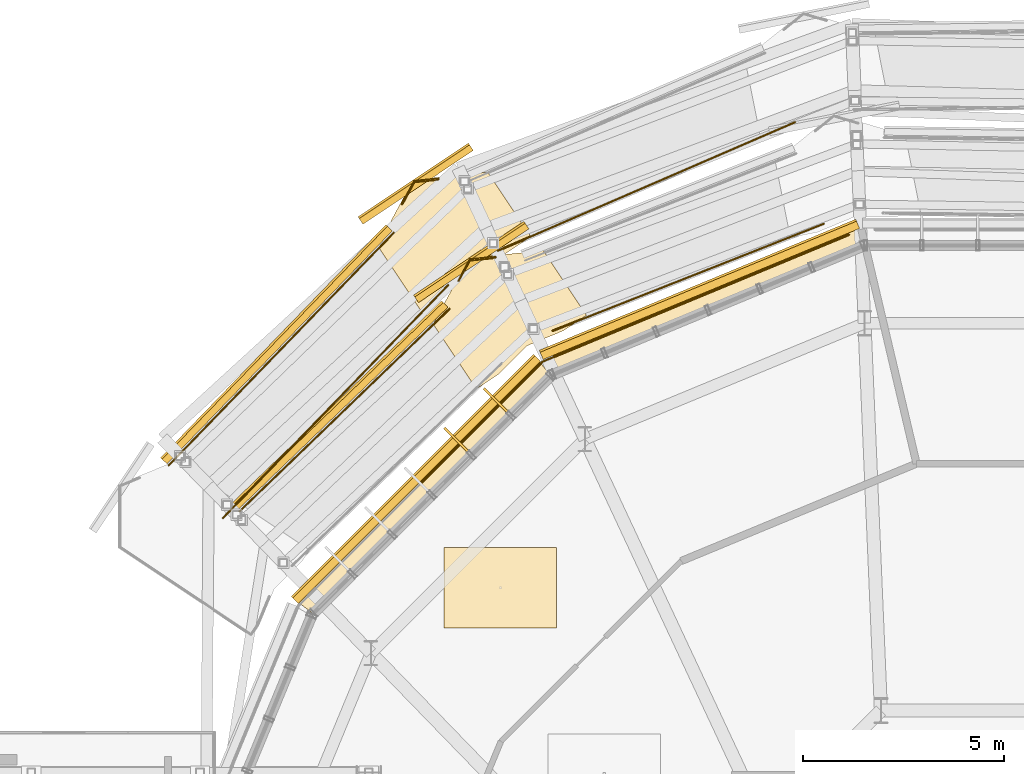
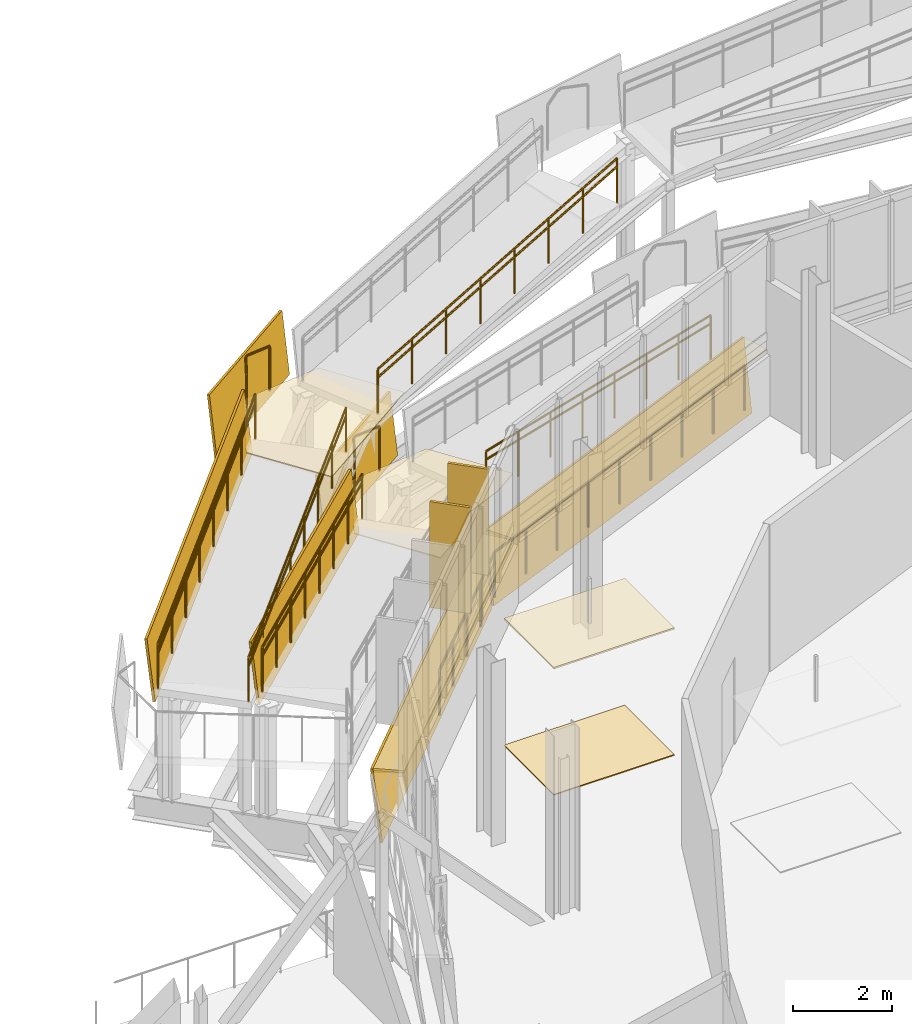
# One storey, part 132 of 139: 20 railings, 12 coverings, 2 shading devices.
"""IFC4 building model written with IfcOpenShell, lengths in metres."""

from ifc_helpers import new_model, si_unit, derived_unit, direction, frame, origin, origin_2d, place, context, subcontext, project, spatial, polyline, rectangle, circle, outline, extrude, material, layer, layer_set, type_object, element, save


model = new_model("IFC4")

# Units and contexts
model_context = context("Model", 3, precision=1e-05, world=origin(), true_north=direction((0.0, 1.0)))
body_context = subcontext(model_context, "Body", "Model", "MODEL_VIEW")
ifc_project = project(units=[si_unit("LENGTHUNIT", "METRE"), si_unit("AREAUNIT", "SQUARE_METRE"), si_unit("VOLUMEUNIT", "CUBIC_METRE"), si_unit("PLANEANGLEUNIT", "RADIAN"), si_unit("MASSUNIT", "GRAM", prefix="KILO"), derived_unit("THERMALTRANSMITTANCEUNIT", [(si_unit("MASSUNIT", "GRAM", prefix="KILO"), 1), (si_unit("TIMEUNIT", "SECOND"), -3), (si_unit("THERMODYNAMICTEMPERATUREUNIT", "KELVIN"), -1)])], contexts=[model_context])

# Site, building, storey
site_placement = place(None, origin())
site = spatial("IfcSite", under=ifc_project, at=site_placement, CompositionType="ELEMENT")
building_placement = place(site_placement, origin())
building = spatial("IfcBuilding", under=site, at=building_placement, Name="Makaiwela Harbour Ferry Terminal", CompositionType="ELEMENT")
storey_placement = place(building_placement, frame((0.0, 0.0, 5.10009765625)))
storey = spatial("IfcBuildingStorey", under=building, at=storey_placement, Name="L01", CompositionType="ELEMENT", Elevation=5.10009765625)

# Coverings
ifc_material_1 = material(Name="White glazed marine ceramic rainscreen tile", Category="masonry")
ifc_layer_1 = layer(ifc_material_1, 0.054931640625)
ifc_layer_set_1 = layer_set([ifc_layer_1], Name="White glazed marine ceramic rainscreen tile")
covering_type_1 = type_object("IfcCoveringType", Name="ENV-CLD-CERAMIC", PredefinedType="CLADDING", material=ifc_layer_set_1)
covering_1_placement = place(storey_placement, frame((33.212158203125, 89.38916015625, -0.260009765625), z_axis=(0.380394050746, -0.918369753727, 0.10907502737), x_axis=(-0.923882102842, -0.382677226978, 5.94223e-07)))
element("IfcCovering", 1, at=covering_1_placement, inside=storey, type_object=covering_type_1, Name="Ceramic Spandrel Facet CLD-0031", PredefinedType="CLADDING", context=body_context, shape_type="SweptSolid", body=[
    extrude(outline(polyline([(0.0, 0.0), (8.523531489160245, 0.0), (8.52351044062833, -1.7907084586446909), (0.000204508622098784, -1.7907186490702987), (0.0, 0.0)])), origin(), (0.0, 0.0, -1.0), 0.054931640625),
])
covering_2_placement = place(storey_placement, frame((0.0, 0.0, 1.47998046875)))
element("IfcCovering", 2, at=covering_2_placement, inside=storey, type_object=covering_type_1, Name="Ceramic Ring Sill Cap CLD-0032", PredefinedType="CLADDING", context=body_context, shape_type="SweptSolid", body=[
    extrude(outline(polyline([(33.13720703125, 89.569580078125), (25.2626953125, 86.307861328125), (25.577392578125, 85.751220703125), (33.308349609375, 88.95361328125), (33.13720703125, 89.569580078125)])), origin(), (0.0, 0.0, 1.0), 0.054931640625),
])
covering_3_placement = place(storey_placement, frame((25.272705078125, 86.084228515625, -0.260009765625), z_axis=(0.702894418326, -0.702880182201, 0.10908201573), x_axis=(-0.707099535149, -0.707114027149, -1.098092e-06)))
element("IfcCovering", 3, at=covering_3_placement, inside=storey, type_object=covering_type_1, Name="Ceramic Spandrel Facet CLD-0033", PredefinedType="CLADDING", context=body_context, shape_type="SweptSolid", body=[
    extrude(outline(polyline([(0.0, 0.0), (8.523433377176595, 5.551115123125783e-17), (8.523429419984067, -1.790724351071069), (-0.00017658891497582255, -1.7907055194804298), (0.0, 0.0)])), origin(), (0.0, 0.0, -1.0), 0.054931640625),
])
covering_4_placement = place(storey_placement, frame((0.0, 0.0, 1.47998046875)))
element("IfcCovering", 4, at=covering_4_placement, inside=storey, type_object=covering_type_1, Name="Ceramic Ring Sill Cap CLD-0034", PredefinedType="CLADDING", context=body_context, shape_type="SweptSolid", body=[
    extrude(outline(polyline([(25.134765625, 86.222412109375), (19.107666015625, 80.1953125), (19.611572265625, 79.801513671875), (25.528564453125, 85.718505859375), (25.134765625, 86.222412109375)])), origin(), (0.0, 0.0, 1.0), 0.054931640625),
])
covering_5_placement = place(storey_placement, frame((24.98291015625, 89.37890625, 1.588623046875), z_axis=(0.552213339386, -0.826408218556, 0.110044918589), x_axis=(-0.831457983046, -0.555587637038, 0.0)))
element("IfcCovering", 5, at=covering_5_placement, inside=storey, type_object=covering_type_1, Name="Coiled Ramp Ceramic Fascia CLD-R0029", PredefinedType="CLADDING", context=body_context, shape_type="SweptSolid", body=[
    extrude(outline(polyline([(0.0, 0.0), (3.3001023988297686, 0.0), (3.300126005149, -1.529061972761088), (2.3606319230901063e-05, -1.529061972761088), (0.0, 0.0)])), origin(), (0.0, 0.0, -1.0), 0.054931640625),
])
covering_6_placement = place(storey_placement, frame((22.966552734375, 87.425537109375, 1.588623046875), z_axis=(0.696807966854, -0.708777062601, 0.109971509309), x_axis=(-0.717129876259, -0.691341199572, 0.088159437108)))
element("IfcCovering", 6, at=covering_6_placement, inside=storey, type_object=covering_type_1, Name="Coiled Ramp Ceramic Fascia CLD-R0030", PredefinedType="CLADDING", context=body_context, shape_type="SweptSolid", body=[
    extrude(outline(polyline([(0.0, 0.0), (7.288835119223154, 0.0), (7.422810583407803, -1.5234147019586264), (0.13395394088457352, -1.5231729985253075), (0.0, 0.0)])), origin(), (0.0, 0.0, -1.0), 0.054931640625),
])
covering_7_placement = place(storey_placement, frame((15.97802734375, 83.52978515625, 2.231201171875), z_axis=(0.708437499452, -0.697154797271, 0.109961347811), x_axis=(0.692892540388, 0.716645132881, 0.079496421259)))
element("IfcCovering", 7, at=covering_7_placement, inside=storey, type_object=covering_type_1, Name="Coiled Ramp Ceramic Fascia CLD-R0032", PredefinedType="CLADDING", context=body_context, shape_type="SweptSolid", body=[
    extrude(outline(polyline([(0.0, 0.0), (8.089247850604846, -1.1102230246251565e-16), (8.209810934649012, 1.5245347887441774), (0.12090720945267847, 1.5245068709159493), (0.0, 0.0)])), origin(), (0.0, 0.0, -1.0), 0.054931640625),
])
covering_8_placement = place(storey_placement, frame((23.60009765625, 91.32861328125, 2.874267578125), z_axis=(0.552212703446, -0.826425523361, 0.109918080821), x_axis=(-0.831463308305, -0.555579667475, -5.605687e-06)))
element("IfcCovering", 8, at=covering_8_placement, inside=storey, type_object=covering_type_1, Name="Coiled Ramp Ceramic Fascia CLD-R0033", PredefinedType="CLADDING", context=body_context, shape_type="SweptSolid", body=[
    extrude(outline(polyline([(0.0, 0.0), (3.2998994046545698, 0.0), (3.2999161030464923, -1.529304621693388), (-5.065601257647854e-05, -1.5292673993693975), (0.0, 0.0)])), origin(), (0.0, 0.0, -1.0), 0.054931640625),
])

# Shading devices
ifc_material_2 = material(Name="Thermally modified Accoya timber and anodised aluminium", Category="wood")
ifc_layer_2 = layer(ifc_material_2, 0.06005859375)
ifc_layer_set_2 = layer_set([ifc_layer_2], Name="Thermally modified Accoya timber and anodised aluminium")
shading_device_type = type_object("IfcShadingDeviceType", Name="ENV-FIN-850", PredefinedType="USERDEFINED", material=ifc_layer_set_2)
for number, where, z_axis, x_axis, name in (
    (9, (24.161865234375, 85.11279296875, 1.614990234375), (0.0, 0.0, 1.0), (-0.707106781187, 0.707106781187, 0.0), "Vertical Solar Fin SFN-0026"),
    (10, (23.17578125, 84.126708984375, 1.614990234375), (0.0, 0.0, 1.0), (-0.707106781187, 0.707106781187, 0.0), "Vertical Solar Fin SFN-0027"),
):
    element("IfcShadingDevice", number, at=place(storey_placement, frame(where, z_axis=z_axis, x_axis=x_axis)), inside=storey, type_object=shading_device_type, Name=name, ObjectType="SOLAR FIN", PredefinedType="USERDEFINED", context=body_context, shape_type="SweptSolid", body=[
        extrude(rectangle(XDim=0.85009765625, YDim=0.06005859375, at=origin_2d()), origin(), (0.0, 0.0, 1.0), 2.60009765625),
    ])

# Coverings
ifc_material_3 = material(Name="Thermally modified Accoya timber acoustic slat ceiling", Category="wood")
ifc_layer_3 = layer(ifc_material_3, 0.0400390625)
ifc_layer_set_3 = layer_set([ifc_layer_3], Name="Thermally modified Accoya timber acoustic slat ceiling")
covering_type_2 = type_object("IfcCoveringType", Name="INT-COV-CEIL", PredefinedType="CEILING", material=ifc_layer_set_3)
covering_9_placement = place(storey_placement, frame((0.0, 0.0, 3.099853515625)))
element("IfcCovering", 11, at=covering_9_placement, inside=storey, type_object=covering_type_2, Name="Acoustic Timber Ceiling CLG-031", PredefinedType="CEILING", context=body_context, shape_type="SweptSolid", body=[
    extrude(outline(polyline([(22.87646484375, 79.450927734375), (25.676513671875, 79.450927734375), (25.676513671875, 81.450927734375), (22.87646484375, 81.450927734375), (22.87646484375, 79.450927734375)])), origin(), (0.0, 0.0, 1.0), 0.0400390625),
])
ifc_material_4 = material(Name="Honed coral-aggregate epoxy terrazzo flooring", Category="concrete")
ifc_layer_4 = layer(ifc_material_4, 0.02490234375)
ifc_layer_set_4 = layer_set([ifc_layer_4], Name="Honed coral-aggregate epoxy terrazzo flooring")
covering_type_3 = type_object("IfcCoveringType", Name="INT-COV-FLR", PredefinedType="FLOORING", material=ifc_layer_set_4)
covering_10_placement = place(storey_placement, frame((0.0, 0.0, 1.928466796875)))
element("IfcCovering", 12, at=covering_10_placement, inside=storey, type_object=covering_type_3, Name="Ramp Landing Terrazzo RMP-COIL-L01-LI3", PredefinedType="FLOORING", context=body_context, shape_type="SweptSolid", body=[
    extrude(outline(polyline([(24.245361328125, 85.77490234375), (24.941162109375, 86.470458984375), (24.941162109375, 86.470703125), (24.94140625, 86.470703125), (24.941650390625, 86.470947265625), (24.941650390625, 86.470947265625), (25.8505859375, 86.847412109375), (26.419921875, 87.227783203125), (25.34228515625, 88.8408203125), (23.48681640625, 88.647705078125), (22.598388671875, 87.007568359375), (23.67626953125, 85.39453125), (24.245361328125, 85.77490234375)])), origin(), (0.0, 0.0, 1.0), 0.025146484375),
])
covering_11_placement = place(storey_placement, frame((0.0, 0.0, 3.214111328125)))
element("IfcCovering", 13, at=covering_11_placement, inside=storey, type_object=covering_type_3, Name="Ramp Landing Terrazzo RMP-COIL-L01-LO1", PredefinedType="FLOORING", context=body_context, shape_type="SweptSolid", body=[
    extrude(outline(polyline([(25.031982421875, 89.185791015625), (23.959716796875, 90.79052734375), (22.1044921875, 90.59716796875), (21.2158203125, 88.957275390625), (22.2880859375, 87.352294921875), (25.031982421875, 89.185791015625)])), origin(), (0.0, 0.0, 1.0), 0.025146484375),
])
covering_12_placement = place(storey_placement, origin())
element("IfcCovering", 14, at=covering_12_placement, inside=storey, type_object=covering_type_3, Name="Terrazzo Flooring FLG-031", PredefinedType="FLOORING", context=body_context, shape_type="SweptSolid", body=[
    extrude(outline(polyline([(22.87646484375, 79.450927734375), (25.676513671875, 79.450927734375), (25.676513671875, 81.450927734375), (22.87646484375, 81.450927734375), (22.87646484375, 79.450927734375)])), origin(), (0.0, 0.0, 1.0), 0.02490234375),
])

# Railings
ifc_material_5 = material(Name="Marine grade 316L brushed stainless steel", Category="steel")
railing_type_1 = type_object("IfcRailingType", Name="INT-RL-GRD110", PredefinedType="GUARDRAIL", material=ifc_material_5)
railing_1_placement = place(storey_placement, frame((32.322509765625, 89.5048828125, 1.28564453125)))
element("IfcRailing", 15, at=railing_1_placement, inside=storey, type_object=railing_type_1, Name="Ramp guardrail RL-0145", PredefinedType="GUARDRAIL", context=body_context, shape_type="SweptSolid", body=[
    extrude(circle(Radius=0.02392578125, at=origin_2d()), frame((0.0, 0.0, 1.09619140625), z_axis=(-0.926592782548, -0.36557072497, 0.088226188712), x_axis=(0.367001860973, -0.930220207286, 0.0)), (0.0, 0.0, 1.0), 7.2861328125),
    extrude(circle(Radius=0.02099609375, at=origin_2d()), origin(), (0.0, 0.0, 1.0), 1.072021484375),
    extrude(circle(Radius=0.02099609375, at=origin_2d()), frame((-0.96435546875, -0.380615234375, 0.091796875)), (0.0, 0.0, 1.0), 1.072021484375),
    extrude(circle(Radius=0.02099609375, at=origin_2d()), frame((-1.928955078125, -0.760986328125, 0.18359375)), (0.0, 0.0, 1.0), 1.072021484375),
    extrude(circle(Radius=0.02099609375, at=origin_2d()), frame((-2.893310546875, -1.1416015625, 0.275390625)), (0.0, 0.0, 1.0), 1.072021484375),
    extrude(circle(Radius=0.02099609375, at=origin_2d()), frame((-3.85791015625, -1.52197265625, 0.367431640625)), (0.0, 0.0, 1.0), 1.072021484375),
    extrude(circle(Radius=0.02099609375, at=origin_2d()), frame((-4.822265625, -1.902587890625, 0.459228515625)), (0.0, 0.0, 1.0), 1.072021484375),
    extrude(circle(Radius=0.02099609375, at=origin_2d()), frame((-5.786865234375, -2.282958984375, 0.551025390625)), (0.0, 0.0, 1.0), 1.072021484375),
    extrude(circle(Radius=0.02099609375, at=origin_2d()), frame((-6.751220703125, -2.66357421875, 0.642822265625)), (0.0, 0.0, 1.0), 1.072021484375),
])
railing_2_placement = place(storey_placement, frame((23.006103515625, 87.384521484375, 1.928466796875)))
element("IfcRailing", 16, at=railing_2_placement, inside=storey, type_object=railing_type_1, Name="Ramp guardrail RL-0151", PredefinedType="GUARDRAIL", context=body_context, shape_type="SweptSolid", body=[
    extrude(circle(Radius=0.02392578125, at=origin_2d()), frame((0.0, 0.0, 1.09619140625), z_axis=(-0.717145310423, -0.691321246421, 0.088190350864), x_axis=(0.694025419166, -0.719950496597, 0.0)), (0.0, 0.0, 1.0), 7.2890625),
    extrude(circle(Radius=0.02099609375, at=origin_2d()), origin(), (0.0, 0.0, 1.0), 1.072021484375),
    extrude(circle(Radius=0.02099609375, at=origin_2d()), frame((-0.746826171875, -0.719970703125, 0.091796875)), (0.0, 0.0, 1.0), 1.072021484375),
    extrude(circle(Radius=0.02099609375, at=origin_2d()), frame((-1.493408203125, -1.439697265625, 0.18359375)), (0.0, 0.0, 1.0), 1.072021484375),
    extrude(circle(Radius=0.02099609375, at=origin_2d()), frame((-2.240234375, -2.15966796875, 0.275390625)), (0.0, 0.0, 1.0), 1.072021484375),
    extrude(circle(Radius=0.02099609375, at=origin_2d()), frame((-2.987060546875, -2.87939453125, 0.367431640625)), (0.0, 0.0, 1.0), 1.072021484375),
    extrude(circle(Radius=0.02099609375, at=origin_2d()), frame((-3.73388671875, -3.599365234375, 0.459228515625)), (0.0, 0.0, 1.0), 1.072021484375),
    extrude(circle(Radius=0.02099609375, at=origin_2d()), frame((-4.48046875, -4.319091796875, 0.551025390625)), (0.0, 0.0, 1.0), 1.072021484375),
    extrude(circle(Radius=0.02099609375, at=origin_2d()), frame((-5.227294921875, -5.0390625, 0.642822265625)), (0.0, 0.0, 1.0), 1.072021484375),
])
for number, where, name in (
    (17, (17.37060546875, 82.18359375, 2.5712890625), "Ramp guardrail RL-0153"),
    (18, (16.01904296875, 83.490234375, 2.5712890625), "Ramp guardrail RL-0155"),
):
    element("IfcRailing", number, at=place(storey_placement, frame(where)), inside=storey, type_object=railing_type_1, Name=name, PredefinedType="GUARDRAIL", context=body_context, shape_type="SweptSolid", body=[
        extrude(circle(Radius=0.02392578125, at=origin_2d()), frame((0.0, 0.0, 1.09619140625), z_axis=(0.692893618769, 0.716647039423, 0.079469830475), x_axis=(-0.718920790628, 0.695092005999, 0.0)), (0.0, 0.0, 1.0), 8.0888671875),
        extrude(circle(Radius=0.02099609375, at=origin_2d()), origin(), (0.0, 0.0, 1.0), 1.072021484375),
        extrude(circle(Radius=0.02099609375, at=origin_2d()), frame((0.80078125, 0.828125, 0.091796875)), (0.0, 0.0, 1.0), 1.072021484375),
        extrude(circle(Radius=0.02099609375, at=origin_2d()), frame((1.601318359375, 1.65625, 0.18359375)), (0.0, 0.0, 1.0), 1.072021484375),
        extrude(circle(Radius=0.02099609375, at=origin_2d()), frame((2.402099609375, 2.484375, 0.275390625)), (0.0, 0.0, 1.0), 1.072021484375),
        extrude(circle(Radius=0.02099609375, at=origin_2d()), frame((3.20263671875, 3.3125, 0.367431640625)), (0.0, 0.0, 1.0), 1.072021484375),
        extrude(circle(Radius=0.02099609375, at=origin_2d()), frame((4.00341796875, 4.140625, 0.459228515625)), (0.0, 0.0, 1.0), 1.072021484375),
        extrude(circle(Radius=0.02099609375, at=origin_2d()), frame((4.803955078125, 4.96875, 0.551025390625)), (0.0, 0.0, 1.0), 1.072021484375),
        extrude(circle(Radius=0.02099609375, at=origin_2d()), frame((5.604736328125, 5.796875, 0.642822265625)), (0.0, 0.0, 1.0), 1.072021484375),
    ])
railing_3_placement = place(storey_placement, frame((24.205078125, 88.8310546875, 3.214111328125)))
element("IfcRailing", 19, at=railing_3_placement, inside=storey, type_object=railing_type_1, Name="Ramp guardrail RL-0157", PredefinedType="GUARDRAIL", context=body_context, shape_type="SweptSolid", body=[
    extrude(circle(Radius=0.02392578125, at=origin_2d()), frame((0.0, 0.0, 1.09619140625), z_axis=(0.914919146927, 0.39574183066, 0.079444056124), x_axis=(-0.396996607498, 0.917820076941, 0.0)), (0.0, 0.0, 1.0), 8.091552734375),
    extrude(circle(Radius=0.02099609375, at=origin_2d()), origin(), (0.0, 0.0, 1.0), 1.072021484375),
    extrude(circle(Radius=0.02099609375, at=origin_2d()), frame((1.0576171875, 0.45751953125, 0.091796875)), (0.0, 0.0, 1.0), 1.072021484375),
    extrude(circle(Radius=0.02099609375, at=origin_2d()), frame((2.115234375, 0.914794921875, 0.18359375)), (0.0, 0.0, 1.0), 1.072021484375),
    extrude(circle(Radius=0.02099609375, at=origin_2d()), frame((3.1728515625, 1.372314453125, 0.275390625)), (0.0, 0.0, 1.0), 1.072021484375),
    extrude(circle(Radius=0.02099609375, at=origin_2d()), frame((4.230224609375, 1.829833984375, 0.367431640625)), (0.0, 0.0, 1.0), 1.072021484375),
    extrude(circle(Radius=0.02099609375, at=origin_2d()), frame((5.287841796875, 2.287353515625, 0.459228515625)), (0.0, 0.0, 1.0), 1.072021484375),
    extrude(circle(Radius=0.02099609375, at=origin_2d()), frame((6.345458984375, 2.74462890625, 0.551025390625)), (0.0, 0.0, 1.0), 1.072021484375),
    extrude(circle(Radius=0.02099609375, at=origin_2d()), frame((7.403076171875, 3.2021484375, 0.642822265625)), (0.0, 0.0, 1.0), 1.072021484375),
])
railing_4_placement = place(storey_placement, frame((22.289794921875, 83.040283203125, 0.0)))
element("IfcRailing", 20, at=railing_4_placement, inside=storey, type_object=railing_type_1, Name="Deck edge guardrail RL-0274", PredefinedType="GUARDRAIL", context=body_context, shape_type="SweptSolid", body=[
    extrude(circle(Radius=0.02392578125, at=origin_2d()), frame((0.0, 0.0, 1.09619140625), z_axis=(0.707106781187, 0.707106781187, 0.0), x_axis=(-0.707106781187, 0.707106781187, 0.0)), (0.0, 0.0, 1.0), 2.146484375),
    extrude(circle(Radius=0.02099609375, at=origin_2d()), origin(), (0.0, 0.0, 1.0), 1.072021484375),
    extrude(circle(Radius=0.02099609375, at=origin_2d()), frame((0.7587890625, 0.7587890625, 0.0)), (0.0, 0.0, 1.0), 1.072021484375),
    extrude(circle(Radius=0.02099609375, at=origin_2d()), frame((1.517822265625, 1.517822265625, 0.0)), (0.0, 0.0, 1.0), 1.072021484375),
])
railing_5_placement = place(storey_placement, frame((23.8076171875, 84.55810546875, 0.0)))
element("IfcRailing", 21, at=railing_5_placement, inside=storey, type_object=railing_type_1, Name="Deck edge guardrail RL-0275", PredefinedType="GUARDRAIL", context=body_context, shape_type="SweptSolid", body=[
    extrude(circle(Radius=0.02392578125, at=origin_2d()), frame((0.0, 0.0, 1.09619140625), z_axis=(0.707106781187, 0.707106781187, 0.0), x_axis=(-0.707106781187, 0.707106781187, 0.0)), (0.0, 0.0, 1.0), 2.146240234375),
    extrude(circle(Radius=0.02099609375, at=origin_2d()), origin(), (0.0, 0.0, 1.0), 1.072021484375),
    extrude(circle(Radius=0.02099609375, at=origin_2d()), frame((0.7587890625, 0.7587890625, 0.0)), (0.0, 0.0, 1.0), 1.072021484375),
    extrude(circle(Radius=0.02099609375, at=origin_2d()), frame((1.517578125, 1.517578125, 0.0)), (0.0, 0.0, 1.0), 1.072021484375),
])
railing_6_placement = place(storey_placement, frame((25.3251953125, 86.07568359375, 0.0)))
element("IfcRailing", 22, at=railing_6_placement, inside=storey, type_object=railing_type_1, Name="Deck edge guardrail RL-0276", PredefinedType="GUARDRAIL", context=body_context, shape_type="SweptSolid", body=[
    extrude(circle(Radius=0.02392578125, at=origin_2d()), frame((0.0, 0.0, 1.09619140625), z_axis=(0.92385237653, 0.382748986126, 0.0), x_axis=(-0.382748986126, 0.92385237653, 0.0)), (0.0, 0.0, 1.0), 2.062744140625),
    extrude(circle(Radius=0.02099609375, at=origin_2d()), origin(), (0.0, 0.0, 1.0), 1.072021484375),
    extrude(circle(Radius=0.02099609375, at=origin_2d()), frame((0.952880859375, 0.394775390625, 0.0)), (0.0, 0.0, 1.0), 1.072021484375),
    extrude(circle(Radius=0.02099609375, at=origin_2d()), frame((1.90576171875, 0.78955078125, 0.0)), (0.0, 0.0, 1.0), 1.072021484375),
])
railing_7_placement = place(storey_placement, frame((27.23095703125, 86.865234375, 0.0)))
element("IfcRailing", 23, at=railing_7_placement, inside=storey, type_object=railing_type_1, Name="Deck edge guardrail RL-0277", PredefinedType="GUARDRAIL", context=body_context, shape_type="SweptSolid", body=[
    extrude(circle(Radius=0.02392578125, at=origin_2d()), frame((0.0, 0.0, 1.09619140625), z_axis=(0.923911549357, 0.382606127715, 0.0), x_axis=(-0.382606127715, 0.923911549357, 0.0)), (0.0, 0.0, 1.0), 2.06298828125),
    extrude(circle(Radius=0.02099609375, at=origin_2d()), origin(), (0.0, 0.0, 1.0), 1.072021484375),
    extrude(circle(Radius=0.02099609375, at=origin_2d()), frame((0.953125, 0.39453125, 0.0)), (0.0, 0.0, 1.0), 1.072021484375),
    extrude(circle(Radius=0.02099609375, at=origin_2d()), frame((1.906005859375, 0.789306640625, 0.0)), (0.0, 0.0, 1.0), 1.072021484375),
])
railing_8_placement = place(storey_placement, frame((29.136962890625, 87.654541015625, 0.0)))
element("IfcRailing", 24, at=railing_8_placement, inside=storey, type_object=railing_type_1, Name="Deck edge guardrail RL-0278", PredefinedType="GUARDRAIL", context=body_context, shape_type="SweptSolid", body=[
    extrude(circle(Radius=0.02392578125, at=origin_2d()), frame((0.0, 0.0, 1.09619140625), z_axis=(0.92385237653, 0.382748986126, 0.0), x_axis=(-0.382748986126, 0.92385237653, 0.0)), (0.0, 0.0, 1.0), 2.062744140625),
    extrude(circle(Radius=0.02099609375, at=origin_2d()), origin(), (0.0, 0.0, 1.0), 1.072021484375),
    extrude(circle(Radius=0.02099609375, at=origin_2d()), frame((0.952880859375, 0.394775390625, 0.0)), (0.0, 0.0, 1.0), 1.072021484375),
    extrude(circle(Radius=0.02099609375, at=origin_2d()), frame((1.90576171875, 0.78955078125, 0.0)), (0.0, 0.0, 1.0), 1.072021484375),
])
railing_9_placement = place(storey_placement, frame((31.042724609375, 88.444091796875, 0.0)))
element("IfcRailing", 25, at=railing_9_placement, inside=storey, type_object=railing_type_1, Name="Deck edge guardrail RL-0279", PredefinedType="GUARDRAIL", context=body_context, shape_type="SweptSolid", body=[
    extrude(circle(Radius=0.02392578125, at=origin_2d()), frame((0.0, 0.0, 1.09619140625), z_axis=(0.92389422244, 0.382647965815, 0.0), x_axis=(-0.382647965815, 0.92389422244, 0.0)), (0.0, 0.0, 1.0), 2.062744140625),
    extrude(circle(Radius=0.02099609375, at=origin_2d()), origin(), (0.0, 0.0, 1.0), 1.072021484375),
    extrude(circle(Radius=0.02099609375, at=origin_2d()), frame((0.952880859375, 0.39453125, 0.0)), (0.0, 0.0, 1.0), 1.072021484375),
    extrude(circle(Radius=0.02099609375, at=origin_2d()), frame((1.90576171875, 0.789306640625, 0.0)), (0.0, 0.0, 1.0), 1.072021484375),
])
railing_10_placement = place(storey_placement, frame((23.232177734375, 88.082763671875, 1.928466796875)))
element("IfcRailing", 26, at=railing_10_placement, inside=storey, type_object=railing_type_1, Name="Deck edge guardrail RL-0429", PredefinedType="GUARDRAIL", context=body_context, shape_type="SweptSolid", body=[
    extrude(circle(Radius=0.02392578125, at=origin_2d()), frame((0.0, 0.0, 1.09619140625), z_axis=(0.476230199812, 0.879320645036, 0.0), x_axis=(-0.879320645036, 0.476230199812, 0.0)), (0.0, 0.0, 1.0), 0.59423828125),
    extrude(circle(Radius=0.02099609375, at=origin_2d()), origin(), (0.0, 0.0, 1.0), 1.072021484375),
    extrude(circle(Radius=0.02099609375, at=origin_2d()), frame((0.282958984375, 0.5224609375, 0.0)), (0.0, 0.0, 1.0), 1.072021484375),
])
railing_11_placement = place(storey_placement, frame((23.51513671875, 88.605224609375, 1.928466796875)))
element("IfcRailing", 27, at=railing_11_placement, inside=storey, type_object=railing_type_1, Name="Deck edge guardrail RL-0430", PredefinedType="GUARDRAIL", context=body_context, shape_type="SweptSolid", body=[
    extrude(circle(Radius=0.02392578125, at=origin_2d()), frame((0.0, 0.0, 1.09619140625), z_axis=(0.994597084577, 0.103810593632, 0.0), x_axis=(-0.103810593632, 0.994597084577, 0.0)), (0.0, 0.0, 1.0), 0.6396484375),
    extrude(circle(Radius=0.02099609375, at=origin_2d()), origin(), (0.0, 0.0, 1.0), 1.072021484375),
    extrude(circle(Radius=0.02099609375, at=origin_2d()), frame((0.63623046875, 0.06640625, 0.0)), (0.0, 0.0, 1.0), 1.072021484375),
])
railing_12_placement = place(storey_placement, frame((21.827880859375, 89.99267578125, 3.214111328125)))
element("IfcRailing", 28, at=railing_12_placement, inside=storey, type_object=railing_type_1, Name="Deck edge guardrail RL-0437", PredefinedType="GUARDRAIL", context=body_context, shape_type="SweptSolid", body=[
    extrude(circle(Radius=0.02392578125, at=origin_2d()), frame((0.0, 0.0, 1.09619140625), z_axis=(0.476738045677, 0.879045411685, 0.0), x_axis=(-0.879045411685, 0.476738045677, 0.0)), (0.0, 0.0, 1.0), 0.6396484375),
    extrude(circle(Radius=0.02099609375, at=origin_2d()), origin(), (0.0, 0.0, 1.0), 1.072021484375),
    extrude(circle(Radius=0.02099609375, at=origin_2d()), frame((0.304931640625, 0.562255859375, 0.0)), (0.0, 0.0, 1.0), 1.072021484375),
])
railing_13_placement = place(storey_placement, frame((22.1328125, 90.554931640625, 3.214111328125)))
element("IfcRailing", 29, at=railing_13_placement, inside=storey, type_object=railing_type_1, Name="Deck edge guardrail RL-0438", PredefinedType="GUARDRAIL", context=body_context, shape_type="SweptSolid", body=[
    extrude(circle(Radius=0.02392578125, at=origin_2d()), frame((0.0, 0.0, 1.09619140625), z_axis=(0.994603491245, 0.103749193748, 0.0), x_axis=(-0.103749193748, 0.994603491245, 0.0)), (0.0, 0.0, 1.0), 0.59765625),
    extrude(circle(Radius=0.02099609375, at=origin_2d()), origin(), (0.0, 0.0, 1.0), 1.072021484375),
    extrude(circle(Radius=0.02099609375, at=origin_2d()), frame((0.594482421875, 0.06201171875, 0.0)), (0.0, 0.0, 1.0), 1.072021484375),
])
railing_type_2 = type_object("IfcRailingType", Name="INT-RL-HND090", PredefinedType="HANDRAIL", material=ifc_material_5)
railing_14_placement = place(storey_placement, frame((32.322509765625, 89.5048828125, 1.28564453125)))
element("IfcRailing", 30, at=railing_14_placement, inside=storey, type_object=railing_type_2, Name="Ramp handrail RL-0146", PredefinedType="HANDRAIL", context=body_context, shape_type="SweptSolid", body=[
    extrude(circle(Radius=0.02392578125, at=origin_2d()), frame((0.0, 0.0, 0.89111328125), z_axis=(-0.926592782548, -0.36557072497, 0.088226188712), x_axis=(0.367001860973, -0.930220207286, 0.0)), (0.0, 0.0, 1.0), 7.2861328125),
    extrude(circle(Radius=0.02099609375, at=origin_2d()), origin(), (0.0, 0.0, 1.0), 0.866943359375),
    extrude(circle(Radius=0.02099609375, at=origin_2d()), frame((-0.96435546875, -0.380615234375, 0.091796875)), (0.0, 0.0, 1.0), 0.866943359375),
    extrude(circle(Radius=0.02099609375, at=origin_2d()), frame((-1.928955078125, -0.760986328125, 0.18359375)), (0.0, 0.0, 1.0), 0.866943359375),
    extrude(circle(Radius=0.02099609375, at=origin_2d()), frame((-2.893310546875, -1.1416015625, 0.275390625)), (0.0, 0.0, 1.0), 0.866943359375),
    extrude(circle(Radius=0.02099609375, at=origin_2d()), frame((-3.85791015625, -1.52197265625, 0.367431640625)), (0.0, 0.0, 1.0), 0.866943359375),
    extrude(circle(Radius=0.02099609375, at=origin_2d()), frame((-4.822265625, -1.902587890625, 0.459228515625)), (0.0, 0.0, 1.0), 0.866943359375),
    extrude(circle(Radius=0.02099609375, at=origin_2d()), frame((-5.786865234375, -2.282958984375, 0.551025390625)), (0.0, 0.0, 1.0), 0.866943359375),
    extrude(circle(Radius=0.02099609375, at=origin_2d()), frame((-6.751220703125, -2.66357421875, 0.642822265625)), (0.0, 0.0, 1.0), 0.866943359375),
])
railing_15_placement = place(storey_placement, frame((23.006103515625, 87.384521484375, 1.928466796875)))
element("IfcRailing", 31, at=railing_15_placement, inside=storey, type_object=railing_type_2, Name="Ramp handrail RL-0152", PredefinedType="HANDRAIL", context=body_context, shape_type="SweptSolid", body=[
    extrude(circle(Radius=0.02392578125, at=origin_2d()), frame((0.0, 0.0, 0.89111328125), z_axis=(-0.717145310423, -0.691321246421, 0.088190350864), x_axis=(0.694025419166, -0.719950496597, 0.0)), (0.0, 0.0, 1.0), 7.2890625),
    extrude(circle(Radius=0.02099609375, at=origin_2d()), origin(), (0.0, 0.0, 1.0), 0.866943359375),
    extrude(circle(Radius=0.02099609375, at=origin_2d()), frame((-0.746826171875, -0.719970703125, 0.091796875)), (0.0, 0.0, 1.0), 0.866943359375),
    extrude(circle(Radius=0.02099609375, at=origin_2d()), frame((-1.493408203125, -1.439697265625, 0.18359375)), (0.0, 0.0, 1.0), 0.866943359375),
    extrude(circle(Radius=0.02099609375, at=origin_2d()), frame((-2.240234375, -2.15966796875, 0.275390625)), (0.0, 0.0, 1.0), 0.866943359375),
    extrude(circle(Radius=0.02099609375, at=origin_2d()), frame((-2.987060546875, -2.87939453125, 0.367431640625)), (0.0, 0.0, 1.0), 0.866943359375),
    extrude(circle(Radius=0.02099609375, at=origin_2d()), frame((-3.73388671875, -3.599365234375, 0.459228515625)), (0.0, 0.0, 1.0), 0.866943359375),
    extrude(circle(Radius=0.02099609375, at=origin_2d()), frame((-4.48046875, -4.319091796875, 0.551025390625)), (0.0, 0.0, 1.0), 0.866943359375),
    extrude(circle(Radius=0.02099609375, at=origin_2d()), frame((-5.227294921875, -5.0390625, 0.642822265625)), (0.0, 0.0, 1.0), 0.866943359375),
])
for number, where, name in (
    (32, (17.37060546875, 82.18359375, 2.5712890625), "Ramp handrail RL-0154"),
    (33, (16.01904296875, 83.490234375, 2.5712890625), "Ramp handrail RL-0156"),
):
    element("IfcRailing", number, at=place(storey_placement, frame(where)), inside=storey, type_object=railing_type_2, Name=name, PredefinedType="HANDRAIL", context=body_context, shape_type="SweptSolid", body=[
        extrude(circle(Radius=0.02392578125, at=origin_2d()), frame((0.0, 0.0, 0.89111328125), z_axis=(0.692893618769, 0.716647039423, 0.079469830475), x_axis=(-0.718920790628, 0.695092005999, 0.0)), (0.0, 0.0, 1.0), 8.0888671875),
        extrude(circle(Radius=0.02099609375, at=origin_2d()), origin(), (0.0, 0.0, 1.0), 0.866943359375),
        extrude(circle(Radius=0.02099609375, at=origin_2d()), frame((0.80078125, 0.828125, 0.091796875)), (0.0, 0.0, 1.0), 0.866943359375),
        extrude(circle(Radius=0.02099609375, at=origin_2d()), frame((1.601318359375, 1.65625, 0.18359375)), (0.0, 0.0, 1.0), 0.866943359375),
        extrude(circle(Radius=0.02099609375, at=origin_2d()), frame((2.402099609375, 2.484375, 0.275390625)), (0.0, 0.0, 1.0), 0.866943359375),
        extrude(circle(Radius=0.02099609375, at=origin_2d()), frame((3.20263671875, 3.3125, 0.367431640625)), (0.0, 0.0, 1.0), 0.866943359375),
        extrude(circle(Radius=0.02099609375, at=origin_2d()), frame((4.00341796875, 4.140625, 0.459228515625)), (0.0, 0.0, 1.0), 0.866943359375),
        extrude(circle(Radius=0.02099609375, at=origin_2d()), frame((4.803955078125, 4.96875, 0.551025390625)), (0.0, 0.0, 1.0), 0.866943359375),
        extrude(circle(Radius=0.02099609375, at=origin_2d()), frame((5.604736328125, 5.796875, 0.642822265625)), (0.0, 0.0, 1.0), 0.866943359375),
    ])
railing_16_placement = place(storey_placement, frame((24.205078125, 88.8310546875, 3.214111328125)))
element("IfcRailing", 34, at=railing_16_placement, inside=storey, type_object=railing_type_2, Name="Ramp handrail RL-0158", PredefinedType="HANDRAIL", context=body_context, shape_type="SweptSolid", body=[
    extrude(circle(Radius=0.02392578125, at=origin_2d()), frame((0.0, 0.0, 0.89111328125), z_axis=(0.914919146927, 0.39574183066, 0.079444056124), x_axis=(-0.396996607498, 0.917820076941, 0.0)), (0.0, 0.0, 1.0), 8.091552734375),
    extrude(circle(Radius=0.02099609375, at=origin_2d()), origin(), (0.0, 0.0, 1.0), 0.866943359375),
    extrude(circle(Radius=0.02099609375, at=origin_2d()), frame((1.0576171875, 0.45751953125, 0.091796875)), (0.0, 0.0, 1.0), 0.866943359375),
    extrude(circle(Radius=0.02099609375, at=origin_2d()), frame((2.115234375, 0.914794921875, 0.18359375)), (0.0, 0.0, 1.0), 0.866943359375),
    extrude(circle(Radius=0.02099609375, at=origin_2d()), frame((3.1728515625, 1.372314453125, 0.275390625)), (0.0, 0.0, 1.0), 0.866943359375),
    extrude(circle(Radius=0.02099609375, at=origin_2d()), frame((4.230224609375, 1.829833984375, 0.367431640625)), (0.0, 0.0, 1.0), 0.866943359375),
    extrude(circle(Radius=0.02099609375, at=origin_2d()), frame((5.287841796875, 2.287353515625, 0.459228515625)), (0.0, 0.0, 1.0), 0.866943359375),
    extrude(circle(Radius=0.02099609375, at=origin_2d()), frame((6.345458984375, 2.74462890625, 0.551025390625)), (0.0, 0.0, 1.0), 0.866943359375),
    extrude(circle(Radius=0.02099609375, at=origin_2d()), frame((7.403076171875, 3.2021484375, 0.642822265625)), (0.0, 0.0, 1.0), 0.866943359375),
])

save(model, "model.ifc")
